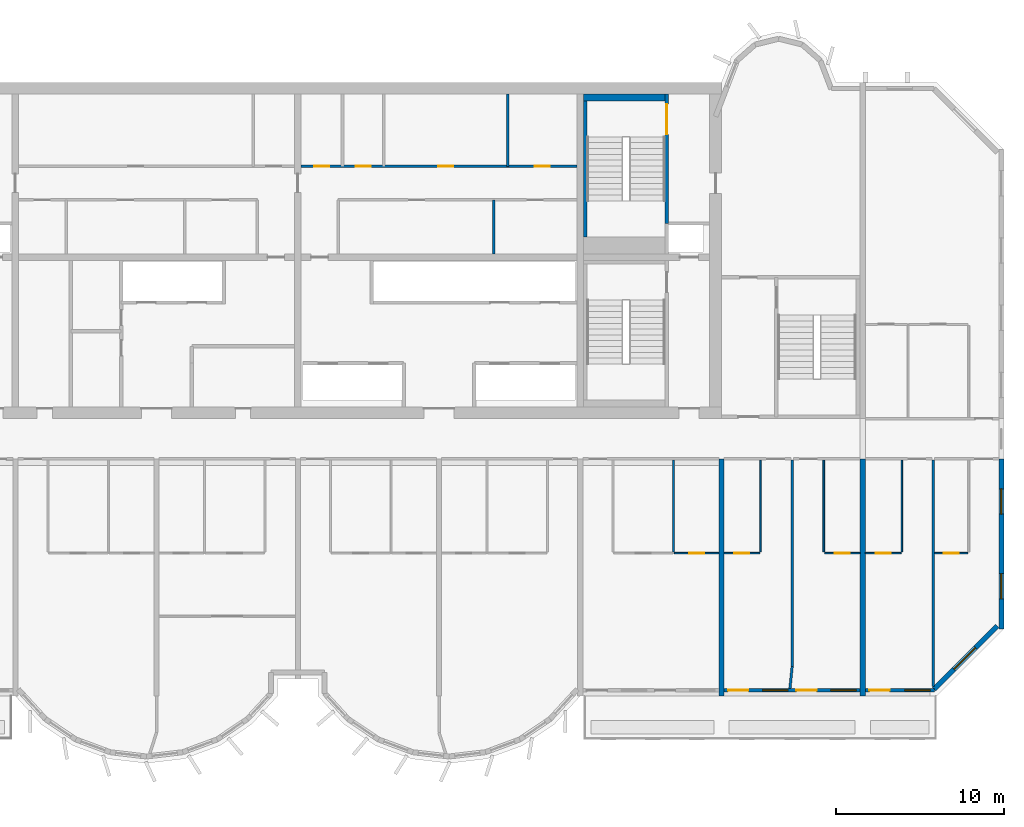
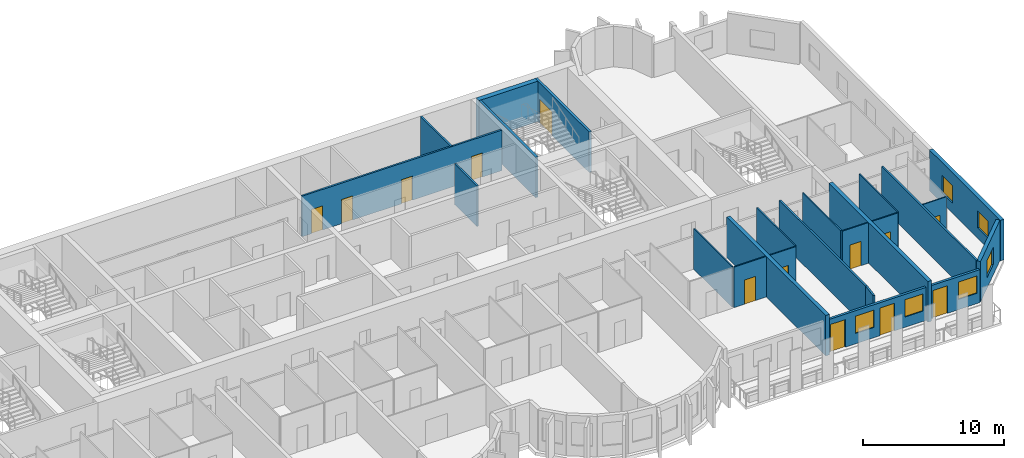
# One storey, part 8 of 13: 24 walls, 13 doors, 6 windows, 19 openings.
"""IFC4 building model written with IfcOpenShell, lengths in metres."""

from ifc_helpers import new_model, si_unit, direction, frame, frame_2d, origin, place, context, subcontext, project, spatial, rectangle, extrude, source, transform, mapped, material, layer, layer_set, type_object, element, fill, save


model = new_model("IFC4")

# Units and contexts
model_context = context("Model", 3, precision=1e-05, world=origin(), true_north=direction((0.0, 1.0)))
body_context = subcontext(model_context, "Body", "Model", "MODEL_VIEW")
ifc_project = project(units=[si_unit("LENGTHUNIT", "METRE"), si_unit("AREAUNIT", "SQUARE_METRE"), si_unit("VOLUMEUNIT", "CUBIC_METRE"), si_unit("PLANEANGLEUNIT", "RADIAN"), si_unit("MASSUNIT", "GRAM", prefix="KILO")], contexts=[model_context])

# Site, building, storey
site_placement = place(None, origin())
site = spatial("IfcSite", under=ifc_project, at=site_placement, CompositionType="ELEMENT")
building_placement = place(site_placement, origin())
building = spatial("IfcBuilding", under=site, at=building_placement, Name="Vanashikhar Sky Hotel", CompositionType="ELEMENT")
storey_placement = place(building_placement, frame((0.0, 0.0, 189.60009765625)))
storey = spatial("IfcBuildingStorey", under=building, at=storey_placement, Name="L46", CompositionType="ELEMENT", Elevation=189.60009765625)

# Wall, openings, windows
ifc_material_1 = material(Name="Concrete M60", Category="concrete")
ifc_layer_1 = layer(ifc_material_1, 0.300048828125)
ifc_layer_set_1 = layer_set([ifc_layer_1], Name="RC shear wall 300 Concrete M60")
wall_type_1 = type_object("IfcWallType", Name="RC shear wall 300 Concrete M60", PredefinedType="SHEAR", material=ifc_layer_set_1)
shared_shape_1 = source(origin(), body_context, "Body", "SweptSolid", [
    extrude(rectangle(XDim=10.10009765625, YDim=0.300048828125, at=frame_2d((5.050048828125, 0.0))), origin(), (0.0, 0.0, 1.0), 3.52001953125),
])
wall_1_placement = place(storey_placement, frame((92.25, 9.5, 0.0), z_axis=(0.0, 0.0, 1.0), x_axis=(0.0, 1.0, 0.0)))
wall_1 = element("IfcWall", 1, at=wall_1_placement, inside=storey, type_object=wall_type_1, Name="CW-L46-XW12-1", PredefinedType="SHEAR", context=body_context, shape_type="MappedRepresentation", body=[
    mapped(shared_shape_1, transform((0.0, 0.0, 0.0), scale=1.0)),
])
shared_shape_2 = source(origin(), body_context, "Body", "SweptSolid", [
    extrude(rectangle(XDim=1.5, YDim=1.5, at=frame_2d((0.75, 0.75))), frame((0.0, 0.16015625, 0.0), z_axis=(0.0, -1.0, 0.0), x_axis=(1.0, 0.0, 0.0)), (0.0, 0.0, 1.0), 0.320068359375),
])
opening_1_placement = place(wall_1_placement, frame((1.77490234375, 0.0, 0.89990234375)))
opening_1 = element("IfcOpeningElement", 2, at=opening_1_placement, cuts=wall_1, Name="Opening WN-1", PredefinedType="OPENING", context=body_context, shape_type="MappedRepresentation", body=[
    mapped(shared_shape_2, transform((0.0, 0.0, 0.0), scale=1.0)),
])
opening_2_placement = place(wall_1_placement, frame((6.824951171875, 0.0, 0.89990234375)))
opening_2 = element("IfcOpeningElement", 3, at=opening_2_placement, cuts=wall_1, Name="Opening WN-1", PredefinedType="OPENING", context=body_context, shape_type="MappedRepresentation", body=[
    mapped(shared_shape_2, transform((0.0, 0.0, 0.0), scale=1.0)),
])
ifc_material_2 = material(Name="Glass", Category="glass")
window_type_1 = type_object("IfcWindowType", Name="Window 1500 x 1500", PartitioningType="SINGLE_PANEL", PredefinedType="WINDOW", material=ifc_material_2)
shared_shape_3 = source(origin(), body_context, "Body", "SweptSolid", [
    extrude(rectangle(XDim=1.5, YDim=1.5, at=frame_2d((0.75, 0.75))), frame((0.0, 0.030029296875, 0.0), z_axis=(0.0, -1.0, 0.0), x_axis=(1.0, 0.0, 0.0)), (0.0, 0.0, 1.0), 0.06005859375),
])
window_1_placement = place(opening_1_placement, origin())
window_1 = element("IfcWindow", 4, at=window_1_placement, inside=storey, type_object=window_type_1, Name="Window WN-1", OverallHeight=1.5, OverallWidth=1.5, PartitioningType="SINGLE_PANEL", PredefinedType="WINDOW", context=body_context, shape_type="MappedRepresentation", body=[
    mapped(shared_shape_3, transform((0.0, 0.0, 0.0), scale=1.0)),
])
fill(opening_1, window_1)
window_2_placement = place(opening_2_placement, origin())
window_2 = element("IfcWindow", 5, at=window_2_placement, inside=storey, type_object=window_type_1, Name="Window WN-1", OverallHeight=1.5, OverallWidth=1.5, PartitioningType="SINGLE_PANEL", PredefinedType="WINDOW", context=body_context, shape_type="MappedRepresentation", body=[
    mapped(shared_shape_3, transform((0.0, 0.0, 0.0), scale=1.0)),
])
fill(opening_2, window_2)

# Walls
shared_shape_4 = source(origin(), body_context, "Body", "SweptSolid", [
    extrude(rectangle(XDim=14.10009765625, YDim=0.300048828125, at=frame_2d((7.050048828125, 0.0))), origin(), (0.0, 0.0, 1.0), 3.52001953125),
])
for number, where, z_axis, x_axis, name in (
    (6, (75.60009765625, 5.5, 0.0), (0.0, 0.0, 1.0), (0.0, 1.0, 0.0), "CW-L46-XW10-1"),
    (7, (84.0, 5.5, 0.0), (0.0, 0.0, 1.0), (0.0, 1.0, 0.0), "CW-L46-XW11-1"),
):
    element("IfcWall", number, at=place(storey_placement, frame(where, z_axis=z_axis, x_axis=x_axis)), inside=storey, type_object=wall_type_1, Name=name, PredefinedType="SHEAR", context=body_context, shape_type="MappedRepresentation", body=[
        mapped(shared_shape_4, transform((0.0, 0.0, 0.0), scale=1.0)),
    ])

# Wall, opening, window
ifc_material_3 = material(Name="Concrete M50", Category="concrete")
ifc_layer_2 = layer(ifc_material_3, 0.300048828125)
ifc_layer_set_2 = layer_set([ifc_layer_2], Name="Lobe wall 300")
wall_type_2 = type_object("IfcWallType", Name="Lobe wall 300", PredefinedType="SOLIDWALL", material=ifc_layer_set_2)
shared_shape_5 = source(origin(), body_context, "Body", "SweptSolid", [
    extrude(rectangle(XDim=5.32568359375, YDim=0.300048828125, at=frame_2d((2.662841796875, 0.0))), origin(), (0.0, 0.0, 1.0), 3.52001953125),
])
wall_2_placement = place(storey_placement, frame((88.234375, 5.89990234375, 0.0), z_axis=(0.0, 0.0, 1.0), x_axis=(0.707083859269, 0.707129702361, 0.0)))
wall_2 = element("IfcWall", 8, at=wall_2_placement, inside=storey, type_object=wall_type_2, Name="Corner wall", PredefinedType="SOLIDWALL", context=body_context, shape_type="MappedRepresentation", body=[
    mapped(shared_shape_5, transform((0.0, 0.0, 0.0), scale=1.0)),
])
shared_shape_6 = source(origin(), body_context, "Body", "SweptSolid", [
    extrude(rectangle(XDim=1.800048828125, YDim=1.5, at=frame_2d((0.89990234375, 0.75))), frame((0.0, 0.16015625, 0.0), z_axis=(0.0, -1.0, 0.0), x_axis=(1.0, 0.0, 0.0)), (0.0, 0.0, 1.0), 0.320068359375),
])
opening_3_placement = place(wall_2_placement, frame((1.689453125, 0.0, 0.89990234375)))
opening_3 = element("IfcOpeningElement", 9, at=opening_3_placement, cuts=wall_2, Name="Opening WN-4", PredefinedType="OPENING", context=body_context, shape_type="MappedRepresentation", body=[
    mapped(shared_shape_6, transform((0.0, 0.0, 0.0), scale=1.0)),
])
window_type_2 = type_object("IfcWindowType", Name="Corner window 1800 x 1500", PartitioningType="SINGLE_PANEL", PredefinedType="WINDOW", material=ifc_material_2)
shared_shape_7 = source(origin(), body_context, "Body", "SweptSolid", [
    extrude(rectangle(XDim=1.800048828125, YDim=1.5, at=frame_2d((0.89990234375, 0.75))), frame((0.0, 0.030029296875, 0.0), z_axis=(0.0, -1.0, 0.0), x_axis=(1.0, 0.0, 0.0)), (0.0, 0.0, 1.0), 0.06005859375),
])
window_3_placement = place(opening_3_placement, origin())
window_3 = element("IfcWindow", 10, at=window_3_placement, inside=storey, type_object=window_type_2, Name="Window WN-4", OverallHeight=1.5, OverallWidth=1.800048828125, PartitioningType="SINGLE_PANEL", PredefinedType="WINDOW", context=body_context, shape_type="MappedRepresentation", body=[
    mapped(shared_shape_7, transform((0.0, 0.0, 0.0), scale=1.0)),
])
fill(opening_3, window_3)

# Wall, openings, window, door
ifc_layer_3 = layer(ifc_material_3, 0.199951171875)
ifc_layer_set_3 = layer_set([ifc_layer_3], Name="Front window wall 200")
wall_type_3 = type_object("IfcWallType", Name="Front window wall 200", PredefinedType="SOLIDWALL", material=ifc_layer_set_3)
shared_shape_8 = source(origin(), body_context, "Body", "SweptSolid", [
    extrude(rectangle(XDim=4.10498046875, YDim=0.199951171875, at=frame_2d((2.052490234375, 0.0))), origin(), (0.0, 0.0, 1.0), 2.869873046875),
])
wall_3_placement = place(storey_placement, frame((84.14990234375, 5.85009765625, 0.0), z_axis=(0.0, 0.0, 1.0), x_axis=(1.0, 0.0, 0.0)))
wall_3 = element("IfcWall", 11, at=wall_3_placement, inside=storey, type_object=wall_type_3, Name="Front window wall", PredefinedType="SOLIDWALL", context=body_context, shape_type="MappedRepresentation", body=[
    mapped(shared_shape_8, transform((0.0, 0.0, 0.0), scale=1.0)),
])
shared_shape_9 = source(origin(), body_context, "Body", "SweptSolid", [
    extrude(rectangle(XDim=1.199951171875, YDim=2.39990234375, at=frame_2d((0.60009765625, 1.199951171875))), frame((0.0, 0.10986328125, 0.0), z_axis=(0.0, -1.0, 0.0), x_axis=(1.0, 0.0, 0.0)), (0.0, 0.0, 1.0), 0.219970703125),
])
opening_4_placement = place(wall_3_placement, frame((0.25, 0.0, 0.0)))
opening_4 = element("IfcOpeningElement", 12, at=opening_4_placement, cuts=wall_3, Name="Opening BD-10", PredefinedType="OPENING", context=body_context, shape_type="MappedRepresentation", body=[
    mapped(shared_shape_9, transform((0.0, 0.0, 0.0), scale=1.0)),
])
shared_shape_10 = source(origin(), body_context, "Body", "SweptSolid", [
    extrude(rectangle(XDim=1.5, YDim=1.5, at=frame_2d((0.75, 0.75))), frame((0.0, 0.10986328125, 0.0), z_axis=(0.0, -1.0, 0.0), x_axis=(1.0, 0.0, 0.0)), (0.0, 0.0, 1.0), 0.219970703125),
])
opening_5_placement = place(wall_3_placement, frame((2.35498046875, 0.0, 0.89990234375)))
opening_5 = element("IfcOpeningElement", 13, at=opening_5_placement, cuts=wall_3, Name="Opening WN-1", PredefinedType="OPENING", context=body_context, shape_type="MappedRepresentation", body=[
    mapped(shared_shape_10, transform((0.0, 0.0, 0.0), scale=1.0)),
])
window_4_placement = place(opening_5_placement, origin())
window_4 = element("IfcWindow", 14, at=window_4_placement, inside=storey, type_object=window_type_1, Name="Window WN-1", OverallHeight=1.5, OverallWidth=1.5, PartitioningType="SINGLE_PANEL", PredefinedType="WINDOW", context=body_context, shape_type="MappedRepresentation", body=[
    mapped(shared_shape_3, transform((0.0, 0.0, 0.0), scale=1.0)),
])
fill(opening_5, window_4)
ifc_material_4 = material(Name="Aluminium", Category="aluminium")
door_type_1 = type_object("IfcDoorType", Name="Balcony sliding door 1200 x 2400", OperationType="NOTDEFINED", PredefinedType="DOOR", material=ifc_material_4)
shared_shape_11 = source(origin(), body_context, "Body", "SweptSolid", [
    extrude(rectangle(XDim=1.199951171875, YDim=2.39990234375, at=frame_2d((0.60009765625, 1.199951171875))), frame((0.0, 0.02490234375, 0.0), z_axis=(0.0, -1.0, 0.0), x_axis=(1.0, 0.0, 0.0)), (0.0, 0.0, 1.0), 0.050048828125),
])
door_1_placement = place(opening_4_placement, origin())
door_1 = element("IfcDoor", 15, at=door_1_placement, inside=storey, type_object=door_type_1, Name="Balcony sliding door", OperationType="SLIDING_TO_RIGHT", OverallHeight=2.39990234375, OverallWidth=1.199951171875, PredefinedType="DOOR", context=body_context, shape_type="MappedRepresentation", body=[
    mapped(shared_shape_11, transform((0.0, 0.0, 0.0), scale=1.0)),
])
fill(opening_4, door_1)

# Wall, openings, windows, doors
shared_shape_12 = source(origin(), body_context, "Body", "SweptSolid", [
    extrude(rectangle(XDim=8.10009765625, YDim=0.199951171875, at=frame_2d((4.050048828125, 0.0))), origin(), (0.0, 0.0, 1.0), 2.869873046875),
])
wall_4_placement = place(storey_placement, frame((75.75, 5.85009765625, 0.0), z_axis=(0.0, 0.0, 1.0), x_axis=(1.0, 0.0, 0.0)))
wall_4 = element("IfcWall", 16, at=wall_4_placement, inside=storey, type_object=wall_type_3, Name="Front window wall", PredefinedType="SOLIDWALL", context=body_context, shape_type="MappedRepresentation", body=[
    mapped(shared_shape_12, transform((0.0, 0.0, 0.0), scale=1.0)),
])
opening_6_placement = place(wall_4_placement, frame((0.25, 0.0, 0.0)))
opening_6 = element("IfcOpeningElement", 17, at=opening_6_placement, cuts=wall_4, Name="Opening BD-08", PredefinedType="OPENING", context=body_context, shape_type="MappedRepresentation", body=[
    mapped(shared_shape_9, transform((0.0, 0.0, 0.0), scale=1.0)),
])
opening_7_placement = place(wall_4_placement, frame((2.300048828125, 0.0, 0.89990234375)))
opening_7 = element("IfcOpeningElement", 18, at=opening_7_placement, cuts=wall_4, Name="Opening WN-1", PredefinedType="OPENING", context=body_context, shape_type="MappedRepresentation", body=[
    mapped(shared_shape_10, transform((0.0, 0.0, 0.0), scale=1.0)),
])
opening_8_placement = place(wall_4_placement, frame((4.300048828125, 0.0, 0.0)))
opening_8 = element("IfcOpeningElement", 19, at=opening_8_placement, cuts=wall_4, Name="Opening BD-09", PredefinedType="OPENING", context=body_context, shape_type="MappedRepresentation", body=[
    mapped(shared_shape_9, transform((0.0, 0.0, 0.0), scale=1.0)),
])
opening_9_placement = place(wall_4_placement, frame((6.35009765625, 0.0, 0.89990234375)))
opening_9 = element("IfcOpeningElement", 20, at=opening_9_placement, cuts=wall_4, Name="Opening WN-1", PredefinedType="OPENING", context=body_context, shape_type="MappedRepresentation", body=[
    mapped(shared_shape_10, transform((0.0, 0.0, 0.0), scale=1.0)),
])
window_5_placement = place(opening_7_placement, origin())
window_5 = element("IfcWindow", 21, at=window_5_placement, inside=storey, type_object=window_type_1, Name="Window WN-1", OverallHeight=1.5, OverallWidth=1.5, PartitioningType="SINGLE_PANEL", PredefinedType="WINDOW", context=body_context, shape_type="MappedRepresentation", body=[
    mapped(shared_shape_3, transform((0.0, 0.0, 0.0), scale=1.0)),
])
fill(opening_7, window_5)
window_6_placement = place(opening_9_placement, origin())
window_6 = element("IfcWindow", 22, at=window_6_placement, inside=storey, type_object=window_type_1, Name="Window WN-1", OverallHeight=1.5, OverallWidth=1.5, PartitioningType="SINGLE_PANEL", PredefinedType="WINDOW", context=body_context, shape_type="MappedRepresentation", body=[
    mapped(shared_shape_3, transform((0.0, 0.0, 0.0), scale=1.0)),
])
fill(opening_9, window_6)
door_2_placement = place(opening_6_placement, origin())
door_2 = element("IfcDoor", 23, at=door_2_placement, inside=storey, type_object=door_type_1, Name="Balcony sliding door", OperationType="SLIDING_TO_RIGHT", OverallHeight=2.39990234375, OverallWidth=1.199951171875, PredefinedType="DOOR", context=body_context, shape_type="MappedRepresentation", body=[
    mapped(shared_shape_11, transform((0.0, 0.0, 0.0), scale=1.0)),
])
fill(opening_6, door_2)
door_3_placement = place(opening_8_placement, origin())
door_3 = element("IfcDoor", 24, at=door_3_placement, inside=storey, type_object=door_type_1, Name="Balcony sliding door", OperationType="SLIDING_TO_LEFT", OverallHeight=2.39990234375, OverallWidth=1.199951171875, PredefinedType="DOOR", context=body_context, shape_type="MappedRepresentation", body=[
    mapped(shared_shape_11, transform((0.0, 0.0, 0.0), scale=1.0)),
])
fill(opening_8, door_3)

# Walls
ifc_layer_4 = layer(ifc_material_3, 0.199951171875)
ifc_layer_set_4 = layer_set([ifc_layer_4], Name="Stair infill wall 200")
wall_type_4 = type_object("IfcWallType", Name="Stair infill wall 200", PredefinedType="SOLIDWALL", material=ifc_layer_set_4)
shared_shape_13 = source(origin(), body_context, "Body", "SweptSolid", [
    extrude(rectangle(XDim=8.099853515625, YDim=0.199951171875, at=frame_2d((4.0498046875, 0.0))), origin(), (0.0, 0.0, 1.0), 3.52001953125),
])
wall_5_placement = place(storey_placement, frame((67.5, 32.800048828125, 0.0), z_axis=(0.0, 0.0, 1.0), x_axis=(0.0, 1.0, 0.0)))
element("IfcWall", 25, at=wall_5_placement, inside=storey, type_object=wall_type_4, Name="Stair infill wall 200", PredefinedType="SOLIDWALL", context=body_context, shape_type="MappedRepresentation", body=[
    mapped(shared_shape_13, transform((0.0, 0.0, 0.0), scale=1.0)),
])
ifc_material_5 = material(Name="Gypsum board partition")
ifc_layer_5 = layer(ifc_material_5, 0.14990234375)
ifc_layer_set_5 = layer_set([ifc_layer_5], Name="Service partition 150")
wall_type_5 = type_object("IfcWallType", Name="Service partition 150", PredefinedType="PARTITIONING", material=ifc_layer_set_5)
shared_shape_14 = source(origin(), body_context, "Body", "SweptSolid", [
    extrude(rectangle(XDim=3.199951171875, YDim=0.14990234375, at=frame_2d((1.60009765625, 0.0))), origin(), (0.0, 0.0, 1.0), 3.52001953125),
])
wall_6_placement = place(storey_placement, frame((62.055908203125, 31.800048828125, 0.0), z_axis=(0.0, 0.0, 1.0), x_axis=(0.0, 1.0, 0.0)))
element("IfcWall", 26, at=wall_6_placement, inside=storey, type_object=wall_type_5, Name="Service partition 150", PredefinedType="PARTITIONING", context=body_context, shape_type="MappedRepresentation", body=[
    mapped(shared_shape_14, transform((0.0, 0.0, 0.0), scale=1.0)),
])

# Wall, openings, doors
shared_shape_15 = source(origin(), body_context, "Body", "SweptSolid", [
    extrude(rectangle(XDim=16.39990234375, YDim=0.14990234375, at=frame_2d((8.199951171875, 0.0))), origin(), (0.0, 0.0, 1.0), 3.52001953125),
])
wall_7_placement = place(storey_placement, frame((67.0, 37.0, 0.0), z_axis=(0.0, 0.0, 1.0), x_axis=(-1.0, 0.0, 0.0)))
wall_7 = element("IfcWall", 27, at=wall_7_placement, inside=storey, type_object=wall_type_5, Name="Service partition 150", PredefinedType="PARTITIONING", context=body_context, shape_type="MappedRepresentation", body=[
    mapped(shared_shape_15, transform((0.0, 0.0, 0.0), scale=1.0)),
])
shared_shape_16 = source(origin(), body_context, "Body", "SweptSolid", [
    extrude(rectangle(XDim=0.89990234375, YDim=2.10009765625, at=frame_2d((0.449951171875, 1.050048828125))), frame((0.0, 0.0849609375, 0.0), z_axis=(0.0, -1.0, 0.0), x_axis=(1.0, 0.0, 0.0)), (0.0, 0.0, 1.0), 0.169921875),
])
opening_10_placement = place(wall_7_placement, frame((1.60009765625, 0.0, 0.0)))
opening_10 = element("IfcOpeningElement", 28, at=opening_10_placement, cuts=wall_7, Name="Opening DC-4-A", PredefinedType="OPENING", context=body_context, shape_type="MappedRepresentation", body=[
    mapped(shared_shape_16, transform((0.0, 0.0, 0.0), scale=1.0)),
])
opening_11_placement = place(wall_7_placement, frame((7.340087890625, 0.0, 0.0)))
opening_11 = element("IfcOpeningElement", 29, at=opening_11_placement, cuts=wall_7, Name="Opening DC-4-A", PredefinedType="OPENING", context=body_context, shape_type="MappedRepresentation", body=[
    mapped(shared_shape_16, transform((0.0, 0.0, 0.0), scale=1.0)),
])
opening_12_placement = place(wall_7_placement, frame((12.260009765625, 0.0, 0.0)))
opening_12 = element("IfcOpeningElement", 30, at=opening_12_placement, cuts=wall_7, Name="Opening DC-4-A", PredefinedType="OPENING", context=body_context, shape_type="MappedRepresentation", body=[
    mapped(shared_shape_16, transform((0.0, 0.0, 0.0), scale=1.0)),
])
opening_13_placement = place(wall_7_placement, frame((14.719970703125, 0.0, 0.0)))
opening_13 = element("IfcOpeningElement", 31, at=opening_13_placement, cuts=wall_7, Name="Opening DC-4-A", PredefinedType="OPENING", context=body_context, shape_type="MappedRepresentation", body=[
    mapped(shared_shape_16, transform((0.0, 0.0, 0.0), scale=1.0)),
])
ifc_material_6 = material(Name="Steel", Category="steel")
door_type_2 = type_object("IfcDoorType", Name="Service door 900 FD60", OperationType="NOTDEFINED", PredefinedType="DOOR", material=ifc_material_6)
shared_shape_17 = source(origin(), body_context, "Body", "SweptSolid", [
    extrude(rectangle(XDim=0.89990234375, YDim=2.10009765625, at=frame_2d((0.449951171875, 1.050048828125))), frame((0.0, 0.02490234375, 0.0), z_axis=(0.0, -1.0, 0.0), x_axis=(1.0, 0.0, 0.0)), (0.0, 0.0, 1.0), 0.050048828125),
])
door_4_placement = place(opening_10_placement, origin())
door_4 = element("IfcDoor", 32, at=door_4_placement, inside=storey, type_object=door_type_2, Name="Service door 900 FD60", OperationType="SINGLE_SWING_RIGHT", OverallHeight=2.10009765625, OverallWidth=0.89990234375, PredefinedType="DOOR", context=body_context, shape_type="MappedRepresentation", body=[
    mapped(shared_shape_17, transform((0.0, 0.0, 0.0), scale=1.0)),
])
fill(opening_10, door_4)
door_5_placement = place(opening_11_placement, origin())
door_5 = element("IfcDoor", 33, at=door_5_placement, inside=storey, type_object=door_type_2, Name="Service door 900 FD60", OperationType="SINGLE_SWING_LEFT", OverallHeight=2.10009765625, OverallWidth=0.89990234375, PredefinedType="DOOR", context=body_context, shape_type="MappedRepresentation", body=[
    mapped(shared_shape_17, transform((0.0, 0.0, 0.0), scale=1.0)),
])
fill(opening_11, door_5)
door_6_placement = place(opening_12_placement, origin())
door_6 = element("IfcDoor", 34, at=door_6_placement, inside=storey, type_object=door_type_2, Name="Service door 900 FD60", OperationType="SINGLE_SWING_LEFT", OverallHeight=2.10009765625, OverallWidth=0.89990234375, PredefinedType="DOOR", context=body_context, shape_type="MappedRepresentation", body=[
    mapped(shared_shape_17, transform((0.0, 0.0, 0.0), scale=1.0)),
])
fill(opening_12, door_6)
door_7_placement = place(opening_13_placement, origin())
door_7 = element("IfcDoor", 35, at=door_7_placement, inside=storey, type_object=door_type_2, Name="Service door 900 FD60", OperationType="SINGLE_SWING_LEFT", OverallHeight=2.10009765625, OverallWidth=0.89990234375, PredefinedType="DOOR", context=body_context, shape_type="MappedRepresentation", body=[
    mapped(shared_shape_17, transform((0.0, 0.0, 0.0), scale=1.0)),
])
fill(opening_13, door_7)

# Wall
shared_shape_18 = source(origin(), body_context, "Body", "SweptSolid", [
    extrude(rectangle(XDim=4.300048828125, YDim=0.14990234375, at=frame_2d((2.14990234375, 0.0))), origin(), (0.0, 0.0, 1.0), 3.52001953125),
])
wall_8_placement = place(storey_placement, frame((62.89990234375, 37.0, 0.0), z_axis=(0.0, 0.0, 1.0), x_axis=(0.0, 1.0, 0.0)))
element("IfcWall", 36, at=wall_8_placement, inside=storey, type_object=wall_type_5, Name="Service partition 150", PredefinedType="PARTITIONING", context=body_context, shape_type="MappedRepresentation", body=[
    mapped(shared_shape_18, transform((0.0, 0.0, 0.0), scale=1.0)),
])

# Wall, opening, door
ifc_layer_6 = layer(ifc_material_3, 0.199951171875)
ifc_layer_set_6 = layer_set([ifc_layer_6], Name="Stair wall 200")
wall_type_6 = type_object("IfcWallType", Name="Stair wall 200", PredefinedType="SOLIDWALL", material=ifc_layer_set_6)
shared_shape_19 = source(origin(), body_context, "Body", "SweptSolid", [
    extrude(rectangle(XDim=7.699951171875, YDim=0.199951171875, at=frame_2d((3.85009765625, 0.0))), origin(), (0.0, 0.0, 1.0), 3.52001953125),
])
wall_9_placement = place(storey_placement, frame((72.35009765625, 33.60009765625, 0.0), z_axis=(0.0, 0.0, 1.0), x_axis=(0.0, 1.0, 0.0)))
wall_9 = element("IfcWall", 37, at=wall_9_placement, inside=storey, type_object=wall_type_6, Name="Stair wall 200", PredefinedType="SOLIDWALL", context=body_context, shape_type="MappedRepresentation", body=[
    mapped(shared_shape_19, transform((0.0, 0.0, 0.0), scale=1.0)),
])
shared_shape_20 = source(origin(), body_context, "Body", "SweptSolid", [
    extrude(rectangle(XDim=1.800048828125, YDim=2.10009765625, at=frame_2d((0.89990234375, 1.050048828125))), frame((0.0, 0.10986328125, 0.0), z_axis=(0.0, -1.0, 0.0), x_axis=(1.0, 0.0, 0.0)), (0.0, 0.0, 1.0), 0.219970703125),
])
opening_14_placement = place(wall_9_placement, frame((5.300048828125, 0.0, 0.0)))
opening_14 = element("IfcOpeningElement", 38, at=opening_14_placement, cuts=wall_9, Name="Opening DC-1-A", PredefinedType="OPENING", context=body_context, shape_type="MappedRepresentation", body=[
    mapped(shared_shape_20, transform((0.0, 0.0, 0.0), scale=1.0)),
])
door_type_3 = type_object("IfcDoorType", Name="Stair door 1800 FD120", OperationType="NOTDEFINED", PredefinedType="DOOR", material=ifc_material_6)
shared_shape_21 = source(origin(), body_context, "Body", "SweptSolid", [
    extrude(rectangle(XDim=1.800048828125, YDim=2.10009765625, at=frame_2d((0.89990234375, 1.050048828125))), frame((0.0, 0.02490234375, 0.0), z_axis=(0.0, -1.0, 0.0), x_axis=(1.0, 0.0, 0.0)), (0.0, 0.0, 1.0), 0.050048828125),
])
door_8_placement = place(opening_14_placement, origin())
door_8 = element("IfcDoor", 39, at=door_8_placement, inside=storey, type_object=door_type_3, Name="Stair door 1800 FD120", OperationType="SINGLE_SWING_LEFT", OverallHeight=2.10009765625, OverallWidth=1.800048828125, PredefinedType="DOOR", context=body_context, shape_type="MappedRepresentation", body=[
    mapped(shared_shape_21, transform((0.0, 0.0, 0.0), scale=1.0)),
])
fill(opening_14, door_8)

# Walls
ifc_layer_7 = layer(ifc_material_3, 0.39990234375)
ifc_layer_set_7 = layer_set([ifc_layer_7], Name="Stair infill wall 400")
wall_type_7 = type_object("IfcWallType", Name="Stair infill wall 400", PredefinedType="SOLIDWALL", material=ifc_layer_set_7)
shared_shape_22 = source(origin(), body_context, "Body", "SweptSolid", [
    extrude(rectangle(XDim=4.85009765625, YDim=0.39990234375, at=frame_2d((2.425048828125, 0.0))), origin(), (0.0, 0.0, 1.0), 3.52001953125),
])
wall_10_placement = place(storey_placement, frame((67.39990234375, 41.10009765625, 0.0), z_axis=(0.0, 0.0, 1.0), x_axis=(1.0, 0.0, 0.0)))
element("IfcWall", 40, at=wall_10_placement, inside=storey, type_object=wall_type_7, Name="Stair infill wall 400", PredefinedType="SOLIDWALL", context=body_context, shape_type="MappedRepresentation", body=[
    mapped(shared_shape_22, transform((0.0, 0.0, 0.0), scale=1.0)),
])
ifc_material_7 = material(Name="Gypsum plasterboard partition")
ifc_layer_8 = layer(ifc_material_7, 0.10009765625)
ifc_layer_set_8 = layer_set([ifc_layer_8], Name="Wet room partition 100")
wall_type_8 = type_object("IfcWallType", Name="Wet room partition 100", PredefinedType="PARTITIONING", material=ifc_layer_set_8)
shared_shape_23 = source(origin(), body_context, "Body", "SweptSolid", [
    extrude(rectangle(XDim=5.449951171875, YDim=0.10009765625, at=frame_2d((2.72509765625, 0.0))), origin(), (0.0, 0.0, 1.0), 3.52001953125),
])
for number, where, z_axis, x_axis, name in (
    (41, (72.75, 14.074951171875, 0.0), (0.0, 0.0, 1.0), (0.0, 1.0, 0.0), "W-L46-PW040"),
    (42, (77.925048828125, 14.074951171875, 0.0), (0.0, 0.0, 1.0), (0.0, 1.0, 0.0), "W-L46-PW044"),
    (43, (81.675048828125, 14.074951171875, 0.0), (0.0, 0.0, 1.0), (0.0, 1.0, 0.0), "W-L46-PW047"),
    (44, (86.324951171875, 14.074951171875, 0.0), (0.0, 0.0, 1.0), (0.0, 1.0, 0.0), "W-L46-PW051"),
):
    element("IfcWall", number, at=place(storey_placement, frame(where, z_axis=z_axis, x_axis=x_axis)), inside=storey, type_object=wall_type_8, Name=name, PredefinedType="PARTITIONING", context=body_context, shape_type="MappedRepresentation", body=[
        mapped(shared_shape_23, transform((0.0, 0.0, 0.0), scale=1.0)),
    ])
ifc_layer_9 = layer(ifc_material_7, 0.14990234375)
ifc_layer_set_9 = layer_set([ifc_layer_9], Name="Corridor and demising partition 150")
wall_type_9 = type_object("IfcWallType", Name="Corridor and demising partition 150", PredefinedType="PARTITIONING", material=ifc_layer_set_9)
shared_shape_24 = source(origin(), body_context, "Body", "SweptSolid", [
    extrude(rectangle(XDim=13.447021484375, YDim=0.14990234375, at=frame_2d((6.7236328125, 0.0))), origin(), (0.0, 0.0, 1.0), 3.52001953125),
])
wall_11_placement = place(storey_placement, frame((88.199951171875, 6.077880859375, 0.0), z_axis=(0.0, 0.0, 1.0), x_axis=(0.0, 1.0, 0.0)))
element("IfcWall", 45, at=wall_11_placement, inside=storey, type_object=wall_type_9, Name="W-L46-PW057", PredefinedType="PARTITIONING", context=body_context, shape_type="MappedRepresentation", body=[
    mapped(shared_shape_24, transform((0.0, 0.0, 0.0), scale=1.0)),
])
shared_shape_25 = source(origin(), body_context, "Body", "SweptSolid", [
    extrude(rectangle(XDim=12.27490234375, YDim=0.14990234375, at=frame_2d((6.137451171875, 0.0))), origin(), (0.0, 0.0, 1.0), 3.52001953125),
])
wall_12_placement = place(storey_placement, frame((79.800048828125, 7.25, 0.0), z_axis=(0.0, 0.0, 1.0), x_axis=(0.0, 1.0, 0.0)))
element("IfcWall", 46, at=wall_12_placement, inside=storey, type_object=wall_type_9, Name="W-L46-PW050", PredefinedType="PARTITIONING", context=body_context, shape_type="MappedRepresentation", body=[
    mapped(shared_shape_25, transform((0.0, 0.0, 0.0), scale=1.0)),
])
shared_shape_26 = source(origin(), body_context, "Body", "SweptSolid", [
    extrude(rectangle(XDim=1.306640625, YDim=0.14990234375, at=frame_2d((0.6533203125, 0.0))), origin(), (0.0, 0.0, 1.0), 3.52001953125),
])
wall_13_placement = place(storey_placement, frame((79.669921875, 5.949951171875, 0.0), z_axis=(0.0, 0.0, 1.0), x_axis=(0.099596223396, 0.99502793543, 0.0)))
element("IfcWall", 47, at=wall_13_placement, inside=storey, type_object=wall_type_9, Name="W-L46-PW050B0", PredefinedType="PARTITIONING", context=body_context, shape_type="MappedRepresentation", body=[
    mapped(shared_shape_26, transform((0.0, 0.0, 0.0), scale=1.0)),
])

# Wall, opening, door
shared_shape_27 = source(origin(), body_context, "Body", "SweptSolid", [
    extrude(rectangle(XDim=2.125, YDim=0.10009765625, at=frame_2d((1.0625, 0.0))), origin(), (0.0, 0.0, 1.0), 3.52001953125),
])
wall_14_placement = place(storey_placement, frame((75.75, 14.0, 0.0), z_axis=(0.0, 0.0, 1.0), x_axis=(1.0, 0.0, 0.0)))
wall_14 = element("IfcWall", 48, at=wall_14_placement, inside=storey, type_object=wall_type_8, Name="W-L46-PW045", PredefinedType="PARTITIONING", context=body_context, shape_type="MappedRepresentation", body=[
    mapped(shared_shape_27, transform((0.0, 0.0, 0.0), scale=1.0)),
])
shared_shape_28 = source(origin(), body_context, "Body", "SweptSolid", [
    extrude(rectangle(XDim=0.89990234375, YDim=2.10009765625, at=frame_2d((0.449951171875, 1.050048828125))), frame((0.0, 0.06005859375, 0.0), z_axis=(0.0, -1.0, 0.0), x_axis=(1.0, 0.0, 0.0)), (0.0, 0.0, 1.0), 0.1201171875),
])
opening_15_placement = place(wall_14_placement, frame((0.612060546875, 0.0, 0.0)))
opening_15 = element("IfcOpeningElement", 49, at=opening_15_placement, cuts=wall_14, Name="Opening D-02", PredefinedType="OPENING", context=body_context, shape_type="MappedRepresentation", body=[
    mapped(shared_shape_28, transform((0.0, 0.0, 0.0), scale=1.0)),
])
ifc_material_8 = material(Name="Timber door", Category="wood")
door_type_4 = type_object("IfcDoorType", Name="Internal door 900", OperationType="NOTDEFINED", PredefinedType="DOOR", material=ifc_material_8)
door_9_placement = place(opening_15_placement, origin())
door_9 = element("IfcDoor", 50, at=door_9_placement, inside=storey, type_object=door_type_4, Name="D-L46-027", OperationType="SINGLE_SWING_RIGHT", OverallHeight=2.10009765625, OverallWidth=0.89990234375, PredefinedType="DOOR", context=body_context, shape_type="MappedRepresentation", body=[
    mapped(shared_shape_17, transform((0.0, 0.0, 0.0), scale=1.0)),
])
fill(opening_15, door_9)

wall_15_placement = place(storey_placement, frame((81.72509765625, 14.0, 0.0), z_axis=(0.0, 0.0, 1.0), x_axis=(1.0, 0.0, 0.0)))
wall_15 = element("IfcWall", 51, at=wall_15_placement, inside=storey, type_object=wall_type_8, Name="W-L46-PW048", PredefinedType="PARTITIONING", context=body_context, shape_type="MappedRepresentation", body=[
    mapped(shared_shape_27, transform((0.0, 0.0, 0.0), scale=1.0)),
])
opening_16_placement = place(wall_15_placement, frame((0.612060546875, 0.0, 0.0)))
opening_16 = element("IfcOpeningElement", 52, at=opening_16_placement, cuts=wall_15, Name="Opening D-02", PredefinedType="OPENING", context=body_context, shape_type="MappedRepresentation", body=[
    mapped(shared_shape_28, transform((0.0, 0.0, 0.0), scale=1.0)),
])
door_10_placement = place(opening_16_placement, origin())
door_10 = element("IfcDoor", 53, at=door_10_placement, inside=storey, type_object=door_type_4, Name="D-L46-029", OperationType="SINGLE_SWING_LEFT", OverallHeight=2.10009765625, OverallWidth=0.89990234375, PredefinedType="DOOR", context=body_context, shape_type="MappedRepresentation", body=[
    mapped(shared_shape_17, transform((0.0, 0.0, 0.0), scale=1.0)),
])
fill(opening_16, door_10)

wall_16_placement = place(storey_placement, frame((84.14990234375, 14.0, 0.0), z_axis=(0.0, 0.0, 1.0), x_axis=(1.0, 0.0, 0.0)))
wall_16 = element("IfcWall", 54, at=wall_16_placement, inside=storey, type_object=wall_type_8, Name="W-L46-PW052", PredefinedType="PARTITIONING", context=body_context, shape_type="MappedRepresentation", body=[
    mapped(shared_shape_27, transform((0.0, 0.0, 0.0), scale=1.0)),
])
opening_17_placement = place(wall_16_placement, frame((0.612060546875, 0.0, 0.0)))
opening_17 = element("IfcOpeningElement", 55, at=opening_17_placement, cuts=wall_16, Name="Opening D-02", PredefinedType="OPENING", context=body_context, shape_type="MappedRepresentation", body=[
    mapped(shared_shape_28, transform((0.0, 0.0, 0.0), scale=1.0)),
])
door_11_placement = place(opening_17_placement, origin())
door_11 = element("IfcDoor", 56, at=door_11_placement, inside=storey, type_object=door_type_4, Name="D-L46-031", OperationType="SINGLE_SWING_RIGHT", OverallHeight=2.10009765625, OverallWidth=0.89990234375, PredefinedType="DOOR", context=body_context, shape_type="MappedRepresentation", body=[
    mapped(shared_shape_17, transform((0.0, 0.0, 0.0), scale=1.0)),
])
fill(opening_17, door_11)

shared_shape_29 = source(origin(), body_context, "Body", "SweptSolid", [
    extrude(rectangle(XDim=2.64990234375, YDim=0.10009765625, at=frame_2d((1.324951171875, 0.0))), origin(), (0.0, 0.0, 1.0), 3.52001953125),
])
wall_17_placement = place(storey_placement, frame((72.800048828125, 14.0, 0.0), z_axis=(0.0, 0.0, 1.0), x_axis=(1.0, 0.0, 0.0)))
wall_17 = element("IfcWall", 57, at=wall_17_placement, inside=storey, type_object=wall_type_8, Name="W-L46-PW042", PredefinedType="PARTITIONING", context=body_context, shape_type="MappedRepresentation", body=[
    mapped(shared_shape_29, transform((0.0, 0.0, 0.0), scale=1.0)),
])
opening_18_placement = place(wall_17_placement, frame((0.875, 0.0, 0.0)))
opening_18 = element("IfcOpeningElement", 58, at=opening_18_placement, cuts=wall_17, Name="Opening D-02", PredefinedType="OPENING", context=body_context, shape_type="MappedRepresentation", body=[
    mapped(shared_shape_28, transform((0.0, 0.0, 0.0), scale=1.0)),
])
door_12_placement = place(opening_18_placement, origin())
door_12 = element("IfcDoor", 59, at=door_12_placement, inside=storey, type_object=door_type_4, Name="D-L46-025", OperationType="SINGLE_SWING_LEFT", OverallHeight=2.10009765625, OverallWidth=0.89990234375, PredefinedType="DOOR", context=body_context, shape_type="MappedRepresentation", body=[
    mapped(shared_shape_17, transform((0.0, 0.0, 0.0), scale=1.0)),
])
fill(opening_18, door_12)

shared_shape_30 = source(origin(), body_context, "Body", "SweptSolid", [
    extrude(rectangle(XDim=1.97509765625, YDim=0.10009765625, at=frame_2d((0.987548828125, 0.0))), origin(), (0.0, 0.0, 1.0), 3.52001953125),
])
wall_18_placement = place(storey_placement, frame((88.27490234375, 14.0, 0.0), z_axis=(0.0, 0.0, 1.0), x_axis=(1.0, 0.0, 0.0)))
wall_18 = element("IfcWall", 60, at=wall_18_placement, inside=storey, type_object=wall_type_8, Name="W-L46-PW055", PredefinedType="PARTITIONING", context=body_context, shape_type="MappedRepresentation", body=[
    mapped(shared_shape_30, transform((0.0, 0.0, 0.0), scale=1.0)),
])
opening_19_placement = place(wall_18_placement, frame((0.537109375, 0.0, 0.0)))
opening_19 = element("IfcOpeningElement", 61, at=opening_19_placement, cuts=wall_18, Name="Opening D-02", PredefinedType="OPENING", context=body_context, shape_type="MappedRepresentation", body=[
    mapped(shared_shape_28, transform((0.0, 0.0, 0.0), scale=1.0)),
])
door_13_placement = place(opening_19_placement, origin())
door_13 = element("IfcDoor", 62, at=door_13_placement, inside=storey, type_object=door_type_4, Name="D-L46-033", OperationType="SINGLE_SWING_RIGHT", OverallHeight=2.10009765625, OverallWidth=0.89990234375, PredefinedType="DOOR", context=body_context, shape_type="MappedRepresentation", body=[
    mapped(shared_shape_17, transform((0.0, 0.0, 0.0), scale=1.0)),
])
fill(opening_19, door_13)

save(model, "model.ifc")
